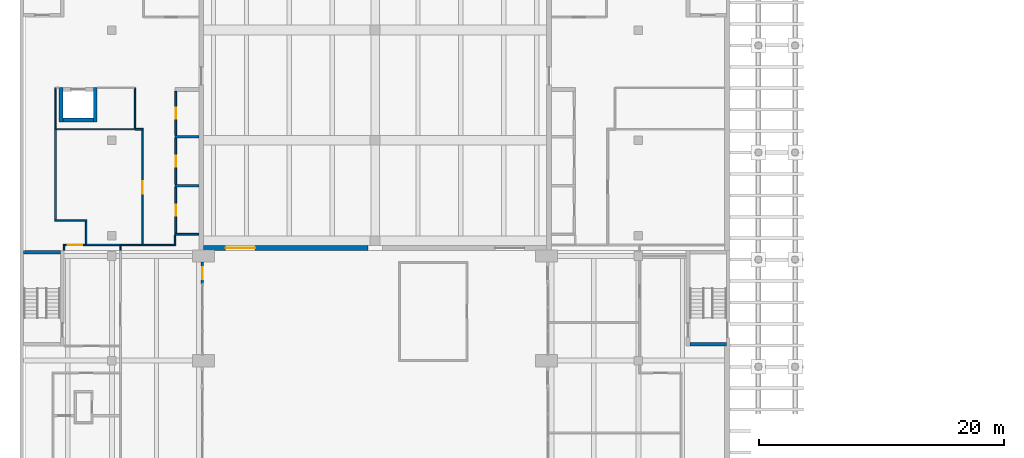
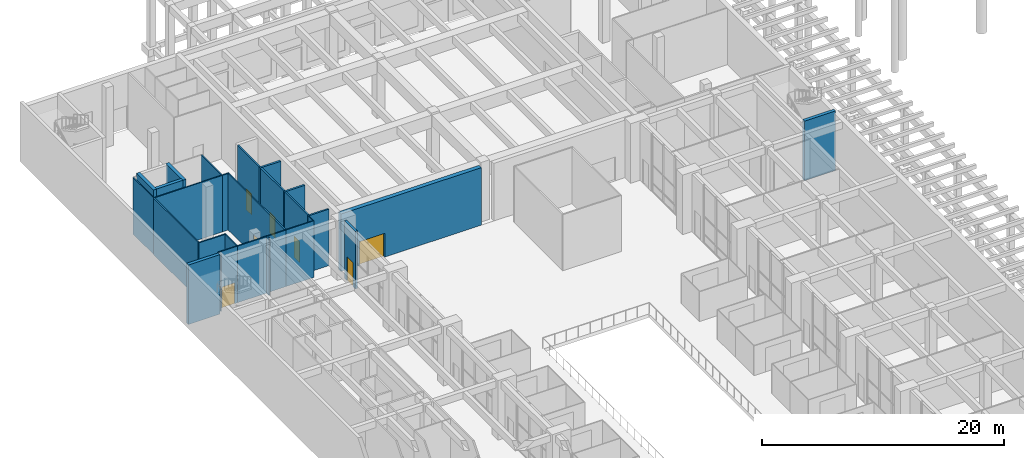
# One storey, part 37 of 51: 28 walls, 7 doors, 7 openings.
"""IFC4 building model written with IfcOpenShell, lengths in metres."""

import ifcopenshell
import ifcopenshell.guid

model = None  # the IFC model being written
_history = None  # IfcOwnerHistory: only IFC2X3 demands one
_inside = {}  # id of a spatial element -> (the spatial element, [elements in it])
_under = {}  # id of a project, library or spatial element -> (it, [spatial elements below it])
_declared = {}  # id of a project -> (the project, [libraries it declares])
_typed = {}  # id of a type object -> (the type object, [elements of that type])
_made_of = {}  # id of a material, layer set ... -> (it, [elements and type objects made of it])


def new_model(schema):
    """Start an empty IFC model of exactly this schema.

    Asked for "IFC4X3", IfcOpenShell would pick the latest addendum, in which some entities
    have other attributes; the version numbers below select the first issue.
    IFC2X3 requires an IfcOwnerHistory on every rooted entity: one is made here for all.
    """
    global model, _history
    if schema == "IFC4X3":
        model = ifcopenshell.file(schema_version=(4, 3, 0, 0))
    else:
        model = ifcopenshell.file(schema=schema)
    _inside.clear()
    _under.clear()
    _declared.clear()
    _typed.clear()
    _made_of.clear()
    _history = None
    if model.schema == "IFC2X3":
        org = make("IfcOrganization", Name="unknown")
        user = make(
            "IfcPersonAndOrganization",
            ThePerson=make("IfcPerson", FamilyName="unknown"),
            TheOrganization=org,
        )
        app = make(
            "IfcApplication",
            ApplicationDeveloper=org,
            Version="unknown",
            ApplicationFullName="unknown",
            ApplicationIdentifier="unknown",
        )
        _history = make(
            "IfcOwnerHistory",
            OwningUser=user,
            OwningApplication=app,
            ChangeAction="ADDED",
            CreationDate=0,
        )
    return model


def make(cls, **values):
    """One entity of the class cls with the attributes given. An attribute that is None is left unset."""
    return model.create_entity(
        cls, **{name: value for name, value in values.items() if value is not None}
    )


def rooted(cls, **values):
    """An entity with a GlobalId (a new one), such as an element, a storey or a relation."""
    return make(cls, GlobalId=ifcopenshell.guid.new(), OwnerHistory=_history, **values)


def si_unit(unit_type, name, prefix=None):
    """IfcSIUnit, for example si_unit("LENGTHUNIT", "METRE", prefix="MILLI")."""
    return make("IfcSIUnit", UnitType=unit_type, Prefix=prefix, Name=name)


def assignment(units):
    """IfcUnitAssignment: the units of a project."""
    return None if units is None else make("IfcUnitAssignment", Units=units)


def point(xyz):
    """IfcCartesianPoint."""
    return None if xyz is None else make("IfcCartesianPoint", Coordinates=xyz)


def direction(xyz):
    """IfcDirection."""
    return None if xyz is None else make("IfcDirection", DirectionRatios=xyz)


def frame(location, z_axis=None, x_axis=None):
    """IfcAxis2Placement3D, a coordinate frame: its origin and axes. An axis left out is left unset."""
    return make(
        "IfcAxis2Placement3D",
        Location=point(location),
        Axis=direction(z_axis),
        RefDirection=direction(x_axis),
    )


def frame_2d(location, x_axis=None):
    """IfcAxis2Placement2D, a coordinate frame in the plane: its origin and x axis."""
    return make(
        "IfcAxis2Placement2D", Location=point(location), RefDirection=direction(x_axis)
    )


def origin():
    """The frame at (0, 0, 0) with its axes left unset."""
    return frame((0.0, 0.0, 0.0))


def place(relative_to, where):
    """IfcLocalPlacement: puts the frame where relative to a parent placement (None: the world)."""
    return make(
        "IfcLocalPlacement", PlacementRelTo=relative_to, RelativePlacement=where
    )


def context(
    kind, dimensions, precision=None, world=None, true_north=None, identifier=None
):
    """IfcGeometricRepresentationContext, for example the 3D "Model" context."""
    return make(
        "IfcGeometricRepresentationContext",
        ContextIdentifier=identifier,
        ContextType=kind,
        CoordinateSpaceDimension=dimensions,
        Precision=precision,
        WorldCoordinateSystem=world,
        TrueNorth=true_north,
    )


def subcontext(parent, identifier, kind, view, scale=None):
    """IfcGeometricRepresentationSubContext, for example "Body" below "Model"."""
    return make(
        "IfcGeometricRepresentationSubContext",
        ContextIdentifier=identifier,
        ContextType=kind,
        ParentContext=parent,
        TargetScale=scale,
        TargetView=view,
    )


def project(units=None, contexts=None):
    """IfcProject with its units and contexts."""
    return rooted(
        "IfcProject",
        Name="project",
        RepresentationContexts=contexts,
        UnitsInContext=assignment(units),
    )


def spatial(cls, under=None, at=None, **own):
    """A site, building, storey or space (cls), placed at a placement, below another one or the project."""
    s = rooted(cls, ObjectPlacement=at, **own)
    if under is not None:
        _under.setdefault(under.id(), (under, []))[1].append(s)
    return s


def profile(cls, at=None, kind="AREA", **sizes):
    """A parametric profile (cls). Its sizes go by their IFC names, for example OverallWidth=200.0."""
    return make(cls, ProfileType=kind, Position=at, **sizes)


def rectangle(**sizes):
    """IfcRectangleProfileDef."""
    return profile("IfcRectangleProfileDef", **sizes)


def extrude(swept, where, along, depth):
    """IfcExtrudedAreaSolid: the profile swept, set in the frame where, extruded along a direction by depth."""
    return make(
        "IfcExtrudedAreaSolid",
        SweptArea=swept,
        Position=where,
        ExtrudedDirection=direction(along),
        Depth=depth,
    )


def shape(context_of_items, identifier, shape_type, items):
    """IfcShapeRepresentation: the items that make up one representation, for example the "Body"."""
    return make(
        "IfcShapeRepresentation",
        ContextOfItems=context_of_items,
        RepresentationIdentifier=identifier,
        RepresentationType=shape_type,
        Items=items,
    )


def material(Name=None, Category=None):
    """IfcMaterial."""
    return make("IfcMaterial", Name=Name, Category=Category)


def layer(
    of_material, thickness, ventilated=None, Name=None, Category=None, Priority=None
):
    """IfcMaterialLayer: one layer of a wall or slab, of a material (None: an air gap)."""
    return make(
        "IfcMaterialLayer",
        Material=of_material,
        LayerThickness=thickness,
        IsVentilated=ventilated,
        Name=Name,
        Category=Category,
        Priority=Priority,
    )


def layer_set(layers, Name=None):
    """IfcMaterialLayerSet."""
    return make("IfcMaterialLayerSet", MaterialLayers=layers, LayerSetName=Name)


def made_of(thing, what):
    """Note that an element or type object is made of a material, layer set ...; save() writes the relation."""
    if what is not None:
        _made_of.setdefault(what.id(), (what, []))[1].append(thing)
    return thing


def type_object(cls, material=None, **own):
    """A type object (cls), such as IfcWallType, which elements share."""
    return made_of(rooted(cls, **own), material)


def element(
    cls,
    number,
    at=None,
    inside=None,
    cuts=None,
    type_object=None,
    material=None,
    context=None,
    identifier="Body",
    shape_type=None,
    held_by="IfcProductDefinitionShape",
    body=None,
    shapes=None,
    **own,
):
    """One element of the class cls, such as IfcWall. Its Tag is "e" and its number.

    at: its placement. inside: the storey or other place that contains it. cuts: it is an
    opening in that element (IfcRelVoidsElement). A single representation is given by context,
    identifier, shape_type and body (its items); several are given by shapes. held_by: the class
    of the entity that holds the representations. save() writes the other relations.
    """
    e = rooted(cls, Tag="e%d" % number, ObjectPlacement=at, **own)
    if body is not None:
        shapes = [shape(context, identifier, shape_type, body)]
    if shapes is not None:
        e.Representation = make(held_by, Representations=shapes)
    if inside is not None:
        _inside.setdefault(inside.id(), (inside, []))[1].append(e)
    if cuts is not None:
        rooted(
            "IfcRelVoidsElement", RelatingBuildingElement=cuts, RelatedOpeningElement=e
        )
    if type_object is not None:
        _typed.setdefault(type_object.id(), (type_object, []))[1].append(e)
    return made_of(e, material)


def fill(opening, filler):
    """IfcRelFillsElement: the door or window that sits in an opening."""
    return rooted(
        "IfcRelFillsElement",
        RelatingOpeningElement=opening,
        RelatedBuildingElement=filler,
    )


def aggregate(whole, parts):
    """IfcRelAggregates: a whole, such as a stair, and the parts it consists of."""
    return rooted("IfcRelAggregates", RelatingObject=whole, RelatedObjects=parts)


def save(model, path):
    """Write the relations noted so far, then the file.

    IfcRelAggregates (storeys below a building ...), IfcRelContainedInSpatialStructure (elements
    in a storey), IfcRelDefinesByType, IfcRelAssociatesMaterial and IfcRelDeclares: one each for
    every whole, place, type object, material and project.
    """
    for whole, parts in _under.values():
        aggregate(whole, parts)
    for where, things in _inside.values():
        rooted(
            "IfcRelContainedInSpatialStructure",
            RelatedElements=things,
            RelatingStructure=where,
        )
    for kind, things in _typed.values():
        rooted("IfcRelDefinesByType", RelatedObjects=things, RelatingType=kind)
    for what, things in _made_of.values():
        rooted("IfcRelAssociatesMaterial", RelatedObjects=things, RelatingMaterial=what)
    for by, libraries in _declared.values():
        rooted("IfcRelDeclares", RelatingContext=by, RelatedDefinitions=libraries)
    model.write(path)


model = new_model("IFC4")

# Units and contexts
model_context = context("Model", 3, precision=1e-05, world=origin(), true_north=direction((0.0, 1.0)))
body_context = subcontext(model_context, "Body", "Model", "MODEL_VIEW")
ifc_project = project(units=[si_unit("LENGTHUNIT", "METRE"), si_unit("AREAUNIT", "SQUARE_METRE"), si_unit("VOLUMEUNIT", "CUBIC_METRE"), si_unit("PLANEANGLEUNIT", "RADIAN"), si_unit("MASSUNIT", "GRAM", prefix="KILO")], contexts=[model_context])

# Site, building, storey
site_placement = place(None, origin())
site = spatial("IfcSite", under=ifc_project, at=site_placement, CompositionType="ELEMENT")
building_placement = place(site_placement, origin())
building = spatial("IfcBuilding", under=site, at=building_placement, Name="Elmora Arch Market Hall", CompositionType="ELEMENT")
storey_placement = place(building_placement, origin())
storey = spatial("IfcBuildingStorey", under=building, at=storey_placement, Name="L00", CompositionType="ELEMENT", Elevation=0.0)

# Wall
ifc_material_1 = material(Name="Blockwork", Category="masonry")
ifc_layer_1 = layer(ifc_material_1, 0.14990234375)
ifc_layer_set_1 = layer_set([ifc_layer_1], Name="Blockwork")
wall_type_1 = type_object("IfcWallType", Name="Blockwork partition 150 EI 120", PredefinedType="PARTITIONING", material=ifc_layer_set_1)
wall_1_placement = place(storey_placement, frame((12.64990234375, 100.324951171875, 0.0), z_axis=(0.0, 0.0, 1.0), x_axis=(1.0, 0.0, 0.0)))
element("IfcWall", 1, at=wall_1_placement, inside=storey, type_object=wall_type_1, Name="Riser wall L00 15", PredefinedType="PARTITIONING", context=body_context, shape_type="SweptSolid", body=[
    extrude(rectangle(XDim=1.9501953125, YDim=0.14990234375, at=frame_2d((0.97509765625, 0.0))), origin(), (0.0, 0.0, 1.0), 5.699951171875),
])

# Wall, opening, door
wall_2_placement = place(storey_placement, frame((12.72509765625, 100.39990234375, 0.0), z_axis=(0.0, 0.0, 1.0), x_axis=(0.0, 1.0, 0.0)))
wall_2 = element("IfcWall", 2, at=wall_2_placement, inside=storey, type_object=wall_type_1, Name="Riser wall L00 16", PredefinedType="PARTITIONING", context=body_context, shape_type="SweptSolid", body=[
    extrude(rectangle(XDim=3.800048828125, YDim=0.14990234375, at=frame_2d((1.89990234375, 0.0))), origin(), (0.0, 0.0, 1.0), 5.699951171875),
])
opening_1_placement = place(wall_2_placement, frame((1.449951171875, 0.0, 0.0)))
opening_1 = element("IfcOpeningElement", 3, at=opening_1_placement, cuts=wall_2, Name="Opening D-L00-077", PredefinedType="OPENING", context=body_context, shape_type="SweptSolid", body=[
    extrude(rectangle(XDim=0.89990234375, YDim=2.10009765625, at=frame_2d((0.449951171875, 1.050048828125))), frame((0.0, 0.0849609375, 0.0), z_axis=(0.0, -1.0, 0.0), x_axis=(1.0, 0.0, 0.0)), (0.0, 0.0, 1.0), 0.169921875),
])
ifc_material_2 = material(Name="Steel ASTM A653 galvanised", Category="steel")
door_type_1 = type_object("IfcDoorType", Name="Door 900 x 2100 FD90", OperationType="SINGLE_SWING_LEFT", PredefinedType="DOOR", material=ifc_material_2)
door_1_placement = place(opening_1_placement, frame((0.89990234375, 0.0, 0.0), z_axis=(0.0, 0.0, 1.0), x_axis=(-1.0, 0.0, 0.0)))
door_1 = element("IfcDoor", 4, at=door_1_placement, inside=storey, type_object=door_type_1, Name="Riser access door D-L00-077", OperationType="SINGLE_SWING_RIGHT", OverallHeight=2.10009765625, OverallWidth=0.89990234375, PredefinedType="DOOR", context=body_context, shape_type="SweptSolid", body=[
    extrude(rectangle(XDim=0.89990234375, YDim=2.10009765625, at=frame_2d((0.449951171875, 1.050048828125))), frame((0.0, 0.02490234375, 0.0), z_axis=(0.0, -1.0, 0.0), x_axis=(1.0, 0.0, 0.0)), (0.0, 0.0, 1.0), 0.050048828125),
])
fill(opening_1, door_1)

wall_3_placement = place(storey_placement, frame((12.72509765625, 104.39990234375, 0.0), z_axis=(0.0, 0.0, 1.0), x_axis=(0.0, 1.0, 0.0)))
wall_3 = element("IfcWall", 5, at=wall_3_placement, inside=storey, type_object=wall_type_1, Name="Riser wall L00 18", PredefinedType="PARTITIONING", context=body_context, shape_type="SweptSolid", body=[
    extrude(rectangle(XDim=3.800048828125, YDim=0.14990234375, at=frame_2d((1.89990234375, 0.0))), origin(), (0.0, 0.0, 1.0), 5.699951171875),
])
opening_2_placement = place(wall_3_placement, frame((1.449951171875, 0.0, 0.0)))
opening_2 = element("IfcOpeningElement", 6, at=opening_2_placement, cuts=wall_3, Name="Opening D-L00-081", PredefinedType="OPENING", context=body_context, shape_type="SweptSolid", body=[
    extrude(rectangle(XDim=0.89990234375, YDim=2.10009765625, at=frame_2d((0.449951171875, 1.050048828125))), frame((0.0, 0.0849609375, 0.0), z_axis=(0.0, -1.0, 0.0), x_axis=(1.0, 0.0, 0.0)), (0.0, 0.0, 1.0), 0.169921875),
])
door_2_placement = place(opening_2_placement, frame((0.89990234375, 0.0, 0.0), z_axis=(0.0, 0.0, 1.0), x_axis=(-1.0, 0.0, 0.0)))
door_2 = element("IfcDoor", 7, at=door_2_placement, inside=storey, type_object=door_type_1, Name="Riser access door D-L00-081", OperationType="SINGLE_SWING_RIGHT", OverallHeight=2.10009765625, OverallWidth=0.89990234375, PredefinedType="DOOR", context=body_context, shape_type="SweptSolid", body=[
    extrude(rectangle(XDim=0.89990234375, YDim=2.10009765625, at=frame_2d((0.449951171875, 1.050048828125))), frame((0.0, 0.02490234375, 0.0), z_axis=(0.0, -1.0, 0.0), x_axis=(1.0, 0.0, 0.0)), (0.0, 0.0, 1.0), 0.050048828125),
])
fill(opening_2, door_2)

wall_4_placement = place(storey_placement, frame((12.72509765625, 108.39990234375, 0.0), z_axis=(0.0, 0.0, 1.0), x_axis=(0.0, 1.0, 0.0)))
wall_4 = element("IfcWall", 8, at=wall_4_placement, inside=storey, type_object=wall_type_1, Name="Riser wall L00 20", PredefinedType="PARTITIONING", context=body_context, shape_type="SweptSolid", body=[
    extrude(rectangle(XDim=3.60009765625, YDim=0.14990234375, at=frame_2d((1.800048828125, 0.0))), origin(), (0.0, 0.0, 1.0), 5.699951171875),
])
opening_3_placement = place(wall_4_placement, frame((1.35009765625, 0.0, 0.0)))
opening_3 = element("IfcOpeningElement", 9, at=opening_3_placement, cuts=wall_4, Name="Opening D-L00-083", PredefinedType="OPENING", context=body_context, shape_type="SweptSolid", body=[
    extrude(rectangle(XDim=0.89990234375, YDim=2.10009765625, at=frame_2d((0.449951171875, 1.050048828125))), frame((0.0, 0.0849609375, 0.0), z_axis=(0.0, -1.0, 0.0), x_axis=(1.0, 0.0, 0.0)), (0.0, 0.0, 1.0), 0.169921875),
])
door_3_placement = place(opening_3_placement, frame((0.89990234375, 0.0, 0.0), z_axis=(0.0, 0.0, 1.0), x_axis=(-1.0, 0.0, 0.0)))
door_3 = element("IfcDoor", 10, at=door_3_placement, inside=storey, type_object=door_type_1, Name="Riser access door D-L00-083", OperationType="SINGLE_SWING_RIGHT", OverallHeight=2.10009765625, OverallWidth=0.89990234375, PredefinedType="DOOR", context=body_context, shape_type="SweptSolid", body=[
    extrude(rectangle(XDim=0.89990234375, YDim=2.10009765625, at=frame_2d((0.449951171875, 1.050048828125))), frame((0.0, 0.02490234375, 0.0), z_axis=(0.0, -1.0, 0.0), x_axis=(1.0, 0.0, 0.0)), (0.0, 0.0, 1.0), 0.050048828125),
])
fill(opening_3, door_3)

# Walls
ifc_material_3 = material(Name="Blockwork", Category="masonry")
ifc_layer_2 = layer(ifc_material_3, 0.199951171875)
ifc_layer_set_2 = layer_set([ifc_layer_2], Name="Blockwork")
wall_type_2 = type_object("IfcWallType", Name="Blockwork partition 200 EI 120", PredefinedType="PARTITIONING", material=ifc_layer_set_2)
for number, where, z_axis, x_axis, name in (
    (11, (12.64990234375, 104.300048828125, 0.0), (0.0, 0.0, 1.0), (1.0, 0.0, 0.0), "Riser wall L00 17"),
    (12, (12.64990234375, 108.300048828125, 0.0), (0.0, 0.0, 1.0), (1.0, 0.0, 0.0), "Riser wall L00 19"),
):
    element("IfcWall", number, at=place(storey_placement, frame(where, z_axis=z_axis, x_axis=x_axis)), inside=storey, type_object=wall_type_2, Name=name, PredefinedType="PARTITIONING", context=body_context, shape_type="SweptSolid", body=[
        extrude(rectangle(XDim=1.9501953125, YDim=0.199951171875, at=frame_2d((0.97509765625, 0.0))), origin(), (0.0, 0.0, 1.0), 5.699951171875),
    ])

# Wall, opening, door
ifc_material_4 = material(Name="Concrete C40/50", Category="concrete")
ifc_layer_3 = layer(ifc_material_4, 0.199951171875)
ifc_layer_set_3 = layer_set([ifc_layer_3], Name="Concrete C40/50")
wall_type_3 = type_object("IfcWallType", Name="Concrete shopfront pier 200", PredefinedType="PARTITIONING", material=ifc_layer_set_3)
wall_5_placement = place(storey_placement, frame((14.89990234375, 98.050048828125, 0.0), z_axis=(0.0, 0.0, 1.0), x_axis=(0.0, -1.0, 0.0)))
wall_5 = element("IfcWall", 13, at=wall_5_placement, inside=storey, type_object=wall_type_3, Name="Shopfront pier W 8", PredefinedType="PARTITIONING", context=body_context, shape_type="SweptSolid", body=[
    extrude(rectangle(XDim=1.800048828125, YDim=0.199951171875, at=frame_2d((0.89990234375, 0.0))), origin(), (0.0, 0.0, 1.0), 5.800048828125),
])
opening_4_placement = place(wall_5_placement, frame((0.39990234375, 0.0, 0.0)))
opening_4 = element("IfcOpeningElement", 14, at=opening_4_placement, cuts=wall_5, Name="Opening SD-W08", PredefinedType="OPENING", context=body_context, shape_type="SweptSolid", body=[
    extrude(rectangle(XDim=1.0, YDim=2.39990234375, at=frame_2d((0.5, 1.199951171875))), frame((0.0, 0.10986328125, 0.0), z_axis=(0.0, -1.0, 0.0), x_axis=(1.0, 0.0, 0.0)), (0.0, 0.0, 1.0), 0.219970703125),
])
ifc_material_5 = material(Name="Glazed aluminium", Category="aluminium")
door_type_2 = type_object("IfcDoorType", Name="Shop door 1000x2400", OperationType="SINGLE_SWING_LEFT", PredefinedType="DOOR", material=ifc_material_5)
door_4_placement = place(opening_4_placement, origin())
door_4 = element("IfcDoor", 15, at=door_4_placement, inside=storey, type_object=door_type_2, Name="Shop door W08", OperationType="SINGLE_SWING_LEFT", OverallHeight=2.39990234375, OverallWidth=1.0, PredefinedType="DOOR", context=body_context, shape_type="SweptSolid", body=[
    extrude(rectangle(XDim=1.0, YDim=2.39990234375, at=frame_2d((0.5, 1.199951171875))), frame((0.0, 0.02490234375, 0.0), z_axis=(0.0, -1.0, 0.0), x_axis=(1.0, 0.0, 0.0)), (0.0, 0.0, 1.0), 0.050048828125),
])
fill(opening_4, door_4)

ifc_material_6 = material(Name="Blockwork", Category="masonry")
ifc_layer_4 = layer(ifc_material_6, 0.39990234375)
ifc_layer_set_4 = layer_set([ifc_layer_4], Name="Blockwork")
wall_type_4 = type_object("IfcWallType", Name="Hall end wall 400 EI 60", PredefinedType="PARTITIONING", material=ifc_layer_set_4)
wall_6_placement = place(storey_placement, frame((15.0, 99.199951171875, 0.0), z_axis=(0.0, 0.0, 1.0), x_axis=(1.0, 0.0, 0.0)))
wall_6 = element("IfcWall", 16, at=wall_6_placement, inside=storey, type_object=wall_type_4, Name="Hall end wall W", PredefinedType="PARTITIONING", context=body_context, shape_type="SweptSolid", body=[
    extrude(rectangle(XDim=13.39990234375, YDim=0.39990234375, at=frame_2d((6.699951171875, 0.0))), origin(), (0.0, 0.0, 1.0), 5.800048828125),
])
opening_5_placement = place(wall_6_placement, frame((1.800048828125, 0.0, 0.0)))
opening_5 = element("IfcOpeningElement", 17, at=opening_5_placement, cuts=wall_6, Name="Opening D-L00-074", PredefinedType="OPENING", context=body_context, shape_type="SweptSolid", body=[
    extrude(rectangle(XDim=2.39990234375, YDim=2.39990234375, at=frame_2d((1.199951171875, 1.199951171875))), frame((0.0, 0.2099609375, 0.0), z_axis=(0.0, -1.0, 0.0), x_axis=(1.0, 0.0, 0.0)), (0.0, 0.0, 1.0), 0.419921875),
])
ifc_material_7 = material(Name="Steel ASTM A653 galvanised", Category="steel")
door_type_3 = type_object("IfcDoorType", Name="Double door 2400 x 2400", OperationType="DOUBLE_DOOR_SINGLE_SWING", PredefinedType="DOOR", material=ifc_material_7)
door_5_placement = place(opening_5_placement, origin())
door_5 = element("IfcDoor", 18, at=door_5_placement, inside=storey, type_object=door_type_3, Name="D-L00-074", OperationType="DOUBLE_DOOR_SINGLE_SWING", OverallHeight=2.39990234375, OverallWidth=2.39990234375, PredefinedType="DOOR", context=body_context, shape_type="SweptSolid", body=[
    extrude(rectangle(XDim=2.39990234375, YDim=2.39990234375, at=frame_2d((1.199951171875, 1.199951171875))), frame((0.0, 0.02490234375, 0.0), z_axis=(0.0, -1.0, 0.0), x_axis=(1.0, 0.0, 0.0)), (0.0, 0.0, 1.0), 0.050048828125),
])
fill(opening_5, door_5)

# Walls
ifc_material_8 = material(Name="Concrete C40/50", Category="concrete")
ifc_layer_5 = layer(ifc_material_8, 0.300048828125)
ifc_layer_set_5 = layer_set([ifc_layer_5], Name="Concrete C40/50")
wall_type_5 = type_object("IfcWallType", Name="Lift shaft wall 300", PredefinedType="SHEAR", material=ifc_layer_set_5)
for number, where, z_axis, x_axis, name in (
    (19, (3.35009765625, 109.5, 0.0), (0.0, 0.0, 1.0), (0.0, 1.0, 0.0), "Lift shaft wall PL1 W L00"),
    (20, (6.14990234375, 109.5, 0.0), (0.0, 0.0, 1.0), (0.0, 1.0, 0.0), "Lift shaft wall PL1 E L00"),
):
    element("IfcWall", number, at=place(storey_placement, frame(where, z_axis=z_axis, x_axis=x_axis)), inside=storey, type_object=wall_type_5, Name=name, PredefinedType="SHEAR", context=body_context, shape_type="SweptSolid", body=[
        extrude(rectangle(XDim=2.800048828125, YDim=0.300048828125, at=frame_2d((1.39990234375, 0.0))), origin(), (0.0, 0.0, 1.0), 6.0),
    ])
wall_7_placement = place(storey_placement, frame((3.5, 109.64990234375, 0.0), z_axis=(0.0, 0.0, 1.0), x_axis=(1.0, 0.0, 0.0)))
element("IfcWall", 21, at=wall_7_placement, inside=storey, type_object=wall_type_5, Name="Lift shaft wall PL1 S L00", PredefinedType="SHEAR", context=body_context, shape_type="SweptSolid", body=[
    extrude(rectangle(XDim=2.5, YDim=0.300048828125, at=frame_2d((1.25, 0.0))), origin(), (0.0, 0.0, 1.0), 6.0),
])

# Wall, opening, door
ifc_material_9 = material(Name="Gypsum board on metal studs")
ifc_layer_6 = layer(ifc_material_9, 0.10009765625)
ifc_layer_set_6 = layer_set([ifc_layer_6], Name="Gypsum board on metal studs")
wall_type_6 = type_object("IfcWallType", Name="Partition 100", PredefinedType="PARTITIONING", material=ifc_layer_set_6)
wall_8_placement = place(storey_placement, frame((3.550048828125, 99.449951171875, 0.0), z_axis=(0.0, 0.0, 1.0), x_axis=(1.0, 0.0, 0.0)))
wall_8 = element("IfcWall", 22, at=wall_8_placement, inside=storey, type_object=wall_type_6, Name="Partition PT-L00-090", PredefinedType="PARTITIONING", context=body_context, shape_type="SweptSolid", body=[
    extrude(rectangle(XDim=1.849853515625, YDim=0.10009765625, at=frame_2d((0.9248046875, 0.0))), origin(), (0.0, 0.0, 1.0), 5.699951171875),
])
opening_6_placement = place(wall_8_placement, frame((0.35009765625, 0.0, 0.0)))
opening_6 = element("IfcOpeningElement", 23, at=opening_6_placement, cuts=wall_8, Name="Opening D-L00-076", PredefinedType="OPENING", context=body_context, shape_type="SweptSolid", body=[
    extrude(rectangle(XDim=1.199951171875, YDim=2.10009765625, at=frame_2d((0.60009765625, 1.050048828125))), frame((0.0, 0.06005859375, 0.0), z_axis=(0.0, -1.0, 0.0), x_axis=(1.0, 0.0, 0.0)), (0.0, 0.0, 1.0), 0.1201171875),
])
ifc_material_10 = material(Name="Timber door set", Category="wood")
door_type_4 = type_object("IfcDoorType", Name="Door 1200 x 2100", OperationType="SINGLE_SWING_LEFT", PredefinedType="DOOR", material=ifc_material_10)
door_6_placement = place(opening_6_placement, origin())
door_6 = element("IfcDoor", 24, at=door_6_placement, inside=storey, type_object=door_type_4, Name="D-L00-076", OperationType="SINGLE_SWING_RIGHT", OverallHeight=2.10009765625, OverallWidth=1.199951171875, PredefinedType="DOOR", context=body_context, shape_type="SweptSolid", body=[
    extrude(rectangle(XDim=1.199951171875, YDim=2.10009765625, at=frame_2d((0.60009765625, 1.050048828125))), frame((0.0, 0.02490234375, 0.0), z_axis=(0.0, -1.0, 0.0), x_axis=(1.0, 0.0, 0.0)), (0.0, 0.0, 1.0), 0.050048828125),
])
fill(opening_6, door_6)

# Walls
wall_9_placement = place(storey_placement, frame((8.199951171875, 99.449951171875, 0.0), z_axis=(0.0, 0.0, 1.0), x_axis=(1.0, 0.0, 0.0)))
element("IfcWall", 25, at=wall_9_placement, inside=storey, type_object=wall_type_6, Name="Partition PT-L00-092", PredefinedType="PARTITIONING", context=body_context, shape_type="SweptSolid", body=[
    extrude(rectangle(XDim=1.800048828125, YDim=0.10009765625, at=frame_2d((0.89990234375, 0.0))), origin(), (0.0, 0.0, 1.0), 5.699951171875),
])
wall_10_placement = place(storey_placement, frame((10.0, 99.449951171875, 0.0), z_axis=(0.0, 0.0, 1.0), x_axis=(1.0, 0.0, 0.0)))
element("IfcWall", 26, at=wall_10_placement, inside=storey, type_object=wall_type_6, Name="Partition PT-L00-093", PredefinedType="PARTITIONING", context=body_context, shape_type="SweptSolid", body=[
    extrude(rectangle(XDim=2.699951171875, YDim=0.10009765625, at=frame_2d((1.35009765625, 0.0))), origin(), (0.0, 0.0, 1.0), 5.699951171875),
])
wall_11_placement = place(storey_placement, frame((2.96240234375, 108.89990234375, 0.0), z_axis=(0.0, 0.0, 1.0), x_axis=(1.0, 0.0, 0.0)))
element("IfcWall", 27, at=wall_11_placement, inside=storey, type_object=wall_type_6, Name="Partition PT-L00-099", PredefinedType="PARTITIONING", context=body_context, shape_type="SweptSolid", body=[
    extrude(rectangle(XDim=6.4375, YDim=0.10009765625, at=frame_2d((3.21875, 0.0))), origin(), (0.0, 0.0, 1.0), 5.699951171875),
])
wall_12_placement = place(storey_placement, frame((2.89990234375, 108.89990234375, 0.0), z_axis=(0.0, 0.0, 1.0), x_axis=(0.0, 1.0, 0.0)))
element("IfcWall", 28, at=wall_12_placement, inside=storey, type_object=wall_type_6, Name="Partition PT-L00-142", PredefinedType="PARTITIONING", context=body_context, shape_type="SweptSolid", body=[
    extrude(rectangle(XDim=3.39013671875, YDim=0.10009765625, at=frame_2d((1.695068359375, 0.0))), origin(), (0.0, 0.0, 1.0), 5.699951171875),
])
wall_13_placement = place(storey_placement, frame((3.60009765625, 99.0, 0.0), z_axis=(0.0, 0.0, 1.0), x_axis=(0.0, 1.0, 0.0)))
element("IfcWall", 29, at=wall_13_placement, inside=storey, type_object=wall_type_6, Name="Partition PT-L00-144", PredefinedType="PARTITIONING", context=body_context, shape_type="SweptSolid", body=[
    extrude(rectangle(XDim=0.39990234375, YDim=0.10009765625, at=frame_2d((0.199951171875, 0.0))), origin(), (0.0, 0.0, 1.0), 5.699951171875),
])
wall_14_placement = place(storey_placement, frame((8.199951171875, 99.0, 0.0), z_axis=(0.0, 0.0, 1.0), x_axis=(0.0, 1.0, 0.0)))
element("IfcWall", 30, at=wall_14_placement, inside=storey, type_object=wall_type_6, Name="Partition PT-L00-164", PredefinedType="PARTITIONING", context=body_context, shape_type="SweptSolid", body=[
    extrude(rectangle(XDim=0.387451171875, YDim=0.10009765625, at=frame_2d((0.19384765625, 0.0))), origin(), (0.0, 0.0, 1.0), 5.800048828125),
])
wall_15_placement = place(storey_placement, frame((9.39990234375, 108.96240234375, 0.0), z_axis=(0.0, 0.0, 1.0), x_axis=(0.0, 1.0, 0.0)))
element("IfcWall", 31, at=wall_15_placement, inside=storey, type_object=wall_type_6, Name="Partition PT-L00-165", PredefinedType="PARTITIONING", context=body_context, shape_type="SweptSolid", body=[
    extrude(rectangle(XDim=3.32763671875, YDim=0.10009765625, at=frame_2d((1.663818359375, 0.0))), origin(), (0.0, 0.0, 1.0), 5.699951171875),
])
wall_16_placement = place(storey_placement, frame((12.64990234375, 99.5, 0.0), z_axis=(0.0, 0.0, 1.0), x_axis=(0.0, 1.0, 0.0)))
element("IfcWall", 32, at=wall_16_placement, inside=storey, type_object=wall_type_6, Name="Partition PT-L00-171", PredefinedType="PARTITIONING", context=body_context, shape_type="SweptSolid", body=[
    extrude(rectangle(XDim=0.75, YDim=0.10009765625, at=frame_2d((0.375, 0.0))), origin(), (0.0, 0.0, 1.0), 5.699951171875),
])
ifc_material_11 = material(Name="Gypsum board on metal studs")
ifc_layer_7 = layer(ifc_material_11, 0.125)
ifc_layer_set_7 = layer_set([ifc_layer_7], Name="Gypsum board on metal studs")
wall_type_7 = type_object("IfcWallType", Name="Partition 125 EI 60", PredefinedType="PARTITIONING", material=ifc_layer_set_7)
wall_17_placement = place(storey_placement, frame((5.39990234375, 99.449951171875, 0.0), z_axis=(0.0, 0.0, 1.0), x_axis=(1.0, 0.0, 0.0)))
element("IfcWall", 33, at=wall_17_placement, inside=storey, type_object=wall_type_7, Name="Partition PT-L00-091", PredefinedType="PARTITIONING", context=body_context, shape_type="SweptSolid", body=[
    extrude(rectangle(XDim=2.800048828125, YDim=0.125, at=frame_2d((1.39990234375, 0.0))), origin(), (0.0, 0.0, 1.0), 5.699951171875),
])
wall_18_placement = place(storey_placement, frame((2.83740234375, 101.449951171875, 0.0), z_axis=(0.0, 0.0, 1.0), x_axis=(1.0, 0.0, 0.0)))
element("IfcWall", 34, at=wall_18_placement, inside=storey, type_object=wall_type_7, Name="Partition PT-L00-098", PredefinedType="PARTITIONING", context=body_context, shape_type="SweptSolid", body=[
    extrude(rectangle(XDim=2.625, YDim=0.125, at=frame_2d((1.3125, 0.0))), origin(), (0.0, 0.0, 1.0), 5.699951171875),
])
wall_19_placement = place(storey_placement, frame((9.39990234375, 108.89990234375, 0.0), z_axis=(0.0, 0.0, 1.0), x_axis=(1.0, 0.0, 0.0)))
element("IfcWall", 35, at=wall_19_placement, inside=storey, type_object=wall_type_7, Name="Partition PT-L00-100", PredefinedType="PARTITIONING", context=body_context, shape_type="SweptSolid", body=[
    extrude(rectangle(XDim=0.66259765625, YDim=0.125, at=frame_2d((0.331298828125, 0.0))), origin(), (0.0, 0.0, 1.0), 5.699951171875),
])
wall_20_placement = place(storey_placement, frame((2.89990234375, 101.512451171875, 0.0), z_axis=(0.0, 0.0, 1.0), x_axis=(0.0, 1.0, 0.0)))
element("IfcWall", 36, at=wall_20_placement, inside=storey, type_object=wall_type_7, Name="Partition PT-L00-141", PredefinedType="PARTITIONING", context=body_context, shape_type="SweptSolid", body=[
    extrude(rectangle(XDim=7.387451171875, YDim=0.125, at=frame_2d((3.69384765625, 0.0))), origin(), (0.0, 0.0, 1.0), 5.699951171875),
])
wall_21_placement = place(storey_placement, frame((5.39990234375, 99.512451171875, 0.0), z_axis=(0.0, 0.0, 1.0), x_axis=(0.0, 1.0, 0.0)))
element("IfcWall", 37, at=wall_21_placement, inside=storey, type_object=wall_type_7, Name="Partition PT-L00-148", PredefinedType="PARTITIONING", context=body_context, shape_type="SweptSolid", body=[
    extrude(rectangle(XDim=1.875, YDim=0.125, at=frame_2d((0.9375, 0.0))), origin(), (0.0, 0.0, 1.0), 5.699951171875),
])

# Wall, opening, door
wall_22_placement = place(storey_placement, frame((10.0, 99.5, 0.0), z_axis=(0.0, 0.0, 1.0), x_axis=(0.0, 1.0, 0.0)))
wall_22 = element("IfcWall", 38, at=wall_22_placement, inside=storey, type_object=wall_type_7, Name="Partition PT-L00-166", PredefinedType="PARTITIONING", context=body_context, shape_type="SweptSolid", body=[
    extrude(rectangle(XDim=9.33740234375, YDim=0.125, at=frame_2d((4.668701171875, 0.0))), origin(), (0.0, 0.0, 1.0), 5.699951171875),
])
opening_7_placement = place(wall_22_placement, frame((4.14990234375, 0.0, 0.0)))
opening_7 = element("IfcOpeningElement", 39, at=opening_7_placement, cuts=wall_22, Name="Opening D-L00-079", PredefinedType="OPENING", context=body_context, shape_type="SweptSolid", body=[
    extrude(rectangle(XDim=1.0, YDim=2.10009765625, at=frame_2d((0.5, 1.050048828125))), frame((0.0, 0.072509765625, 0.0), z_axis=(0.0, -1.0, 0.0), x_axis=(1.0, 0.0, 0.0)), (0.0, 0.0, 1.0), 0.14501953125),
])
ifc_material_12 = material(Name="Steel ASTM A653 galvanised", Category="steel")
door_type_5 = type_object("IfcDoorType", Name="Door 1000 x 2100 FD45", OperationType="SINGLE_SWING_LEFT", PredefinedType="DOOR", material=ifc_material_12)
door_7_placement = place(opening_7_placement, origin())
door_7 = element("IfcDoor", 40, at=door_7_placement, inside=storey, type_object=door_type_5, Name="D-L00-079", OperationType="SINGLE_SWING_LEFT", OverallHeight=2.10009765625, OverallWidth=1.0, PredefinedType="DOOR", context=body_context, shape_type="SweptSolid", body=[
    extrude(rectangle(XDim=1.0, YDim=2.10009765625, at=frame_2d((0.5, 1.050048828125))), frame((0.0, 0.02490234375, 0.0), z_axis=(0.0, -1.0, 0.0), x_axis=(1.0, 0.0, 0.0)), (0.0, 0.0, 1.0), 0.050048828125),
])
fill(opening_7, door_7)

# Walls
ifc_material_13 = material(Name="Concrete C40/50", Category="concrete")
ifc_layer_8 = layer(ifc_material_13, 0.300048828125)
ifc_layer_set_8 = layer_set([ifc_layer_8], Name="Concrete C40/50")
wall_type_8 = type_object("IfcWallType", Name="Stair wall 300", PredefinedType="SHEAR", material=ifc_layer_set_8)
for number, where, z_axis, x_axis, name in (
    (41, (54.699951171875, 91.35009765625, 0.0), (0.0, 0.0, 1.0), (1.0, 0.0, 0.0), "Stair wall ST-EN S L00"),
    (42, (0.300048828125, 98.85009765625, 0.0), (0.0, 0.0, 1.0), (1.0, 0.0, 0.0), "Stair wall ST-WN N L00"),
):
    element("IfcWall", number, at=place(storey_placement, frame(where, z_axis=z_axis, x_axis=x_axis)), inside=storey, type_object=wall_type_8, Name=name, PredefinedType="SHEAR", context=body_context, shape_type="SweptSolid", body=[
        extrude(rectangle(XDim=3.0, YDim=0.300048828125, at=frame_2d((1.5, 0.0))), origin(), (0.0, 0.0, 1.0), 6.0),
    ])

save(model, "model.ifc")
